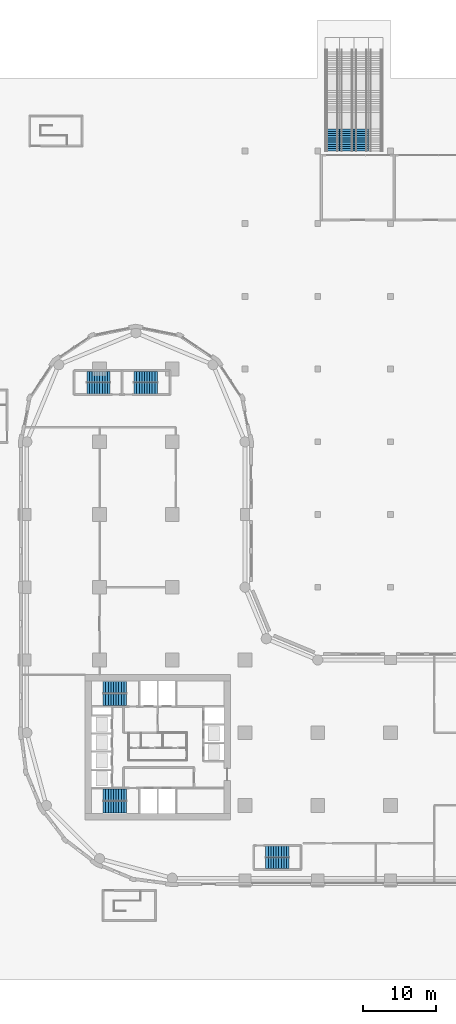
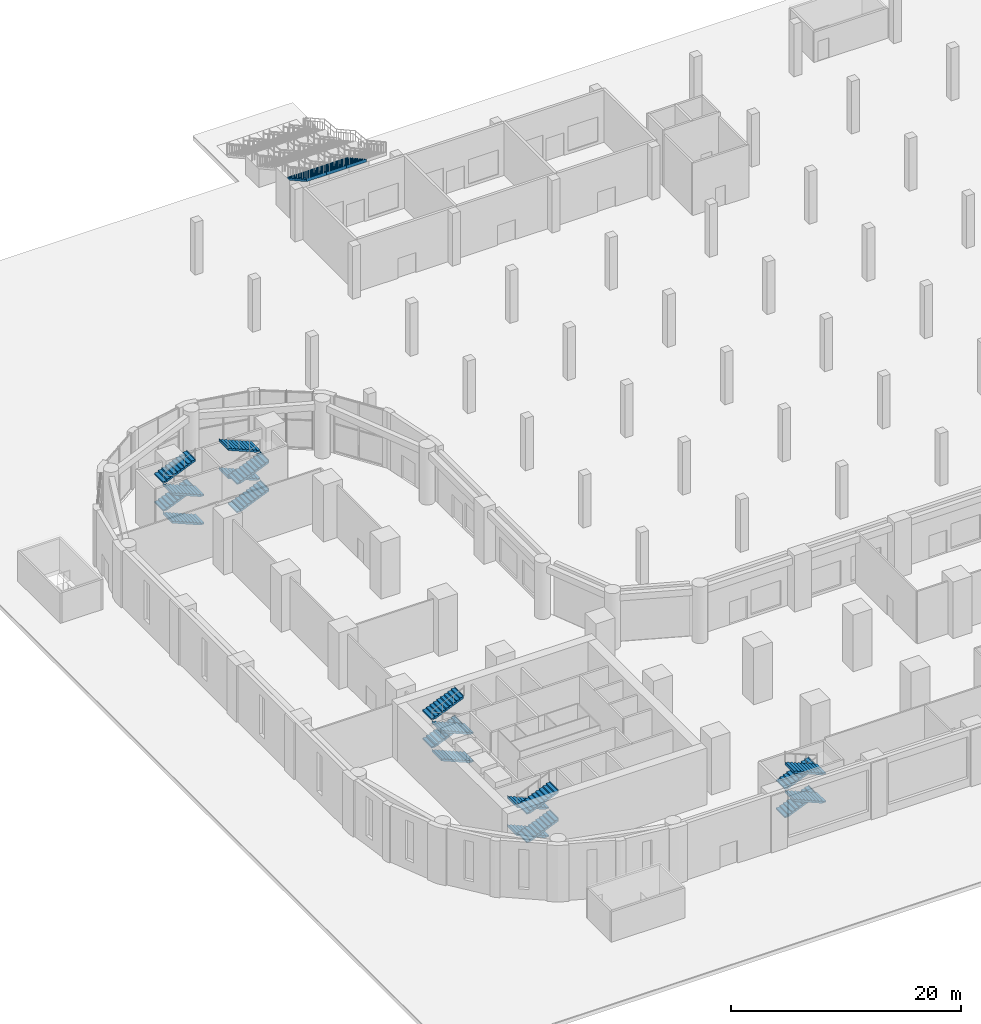
# One storey, part 14 of 21: 23 stair flights, 8 elements without a shape of their own.
"""IFC4 building model written with IfcOpenShell, lengths in metres."""

import ifcopenshell
import ifcopenshell.guid

model = None  # the IFC model being written
_history = None  # IfcOwnerHistory: only IFC2X3 demands one
_inside = {}  # id of a spatial element -> (the spatial element, [elements in it])
_under = {}  # id of a project, library or spatial element -> (it, [spatial elements below it])
_declared = {}  # id of a project -> (the project, [libraries it declares])
_typed = {}  # id of a type object -> (the type object, [elements of that type])
_made_of = {}  # id of a material, layer set ... -> (it, [elements and type objects made of it])


def new_model(schema):
    """Start an empty IFC model of exactly this schema.

    Asked for "IFC4X3", IfcOpenShell would pick the latest addendum, in which some entities
    have other attributes; the version numbers below select the first issue.
    IFC2X3 requires an IfcOwnerHistory on every rooted entity: one is made here for all.
    """
    global model, _history
    if schema == "IFC4X3":
        model = ifcopenshell.file(schema_version=(4, 3, 0, 0))
    else:
        model = ifcopenshell.file(schema=schema)
    _inside.clear()
    _under.clear()
    _declared.clear()
    _typed.clear()
    _made_of.clear()
    _history = None
    if model.schema == "IFC2X3":
        org = make("IfcOrganization", Name="unknown")
        user = make(
            "IfcPersonAndOrganization",
            ThePerson=make("IfcPerson", FamilyName="unknown"),
            TheOrganization=org,
        )
        app = make(
            "IfcApplication",
            ApplicationDeveloper=org,
            Version="unknown",
            ApplicationFullName="unknown",
            ApplicationIdentifier="unknown",
        )
        _history = make(
            "IfcOwnerHistory",
            OwningUser=user,
            OwningApplication=app,
            ChangeAction="ADDED",
            CreationDate=0,
        )
    return model


def make(cls, **values):
    """One entity of the class cls with the attributes given. An attribute that is None is left unset."""
    return model.create_entity(
        cls, **{name: value for name, value in values.items() if value is not None}
    )


def rooted(cls, **values):
    """An entity with a GlobalId (a new one), such as an element, a storey or a relation."""
    return make(cls, GlobalId=ifcopenshell.guid.new(), OwnerHistory=_history, **values)


def si_unit(unit_type, name, prefix=None):
    """IfcSIUnit, for example si_unit("LENGTHUNIT", "METRE", prefix="MILLI")."""
    return make("IfcSIUnit", UnitType=unit_type, Prefix=prefix, Name=name)


def assignment(units):
    """IfcUnitAssignment: the units of a project."""
    return None if units is None else make("IfcUnitAssignment", Units=units)


def point(xyz):
    """IfcCartesianPoint."""
    return None if xyz is None else make("IfcCartesianPoint", Coordinates=xyz)


def direction(xyz):
    """IfcDirection."""
    return None if xyz is None else make("IfcDirection", DirectionRatios=xyz)


def frame(location, z_axis=None, x_axis=None):
    """IfcAxis2Placement3D, a coordinate frame: its origin and axes. An axis left out is left unset."""
    return make(
        "IfcAxis2Placement3D",
        Location=point(location),
        Axis=direction(z_axis),
        RefDirection=direction(x_axis),
    )


def origin():
    """The frame at (0, 0, 0) with its axes left unset."""
    return frame((0.0, 0.0, 0.0))


def place(relative_to, where):
    """IfcLocalPlacement: puts the frame where relative to a parent placement (None: the world)."""
    return make(
        "IfcLocalPlacement", PlacementRelTo=relative_to, RelativePlacement=where
    )


def context(
    kind, dimensions, precision=None, world=None, true_north=None, identifier=None
):
    """IfcGeometricRepresentationContext, for example the 3D "Model" context."""
    return make(
        "IfcGeometricRepresentationContext",
        ContextIdentifier=identifier,
        ContextType=kind,
        CoordinateSpaceDimension=dimensions,
        Precision=precision,
        WorldCoordinateSystem=world,
        TrueNorth=true_north,
    )


def subcontext(parent, identifier, kind, view, scale=None):
    """IfcGeometricRepresentationSubContext, for example "Body" below "Model"."""
    return make(
        "IfcGeometricRepresentationSubContext",
        ContextIdentifier=identifier,
        ContextType=kind,
        ParentContext=parent,
        TargetScale=scale,
        TargetView=view,
    )


def project(units=None, contexts=None):
    """IfcProject with its units and contexts."""
    return rooted(
        "IfcProject",
        Name="project",
        RepresentationContexts=contexts,
        UnitsInContext=assignment(units),
    )


def spatial(cls, under=None, at=None, **own):
    """A site, building, storey or space (cls), placed at a placement, below another one or the project."""
    s = rooted(cls, ObjectPlacement=at, **own)
    if under is not None:
        _under.setdefault(under.id(), (under, []))[1].append(s)
    return s


def polyline(points):
    """IfcPolyline through the points."""
    return make("IfcPolyline", Points=[point(p) for p in points])


def outline(outer, holes=None, kind="AREA"):
    """IfcArbitraryClosedProfileDef: a profile drawn as a closed curve; with holes, ...WithVoids."""
    if holes is None:
        return make("IfcArbitraryClosedProfileDef", ProfileType=kind, OuterCurve=outer)
    return make(
        "IfcArbitraryProfileDefWithVoids",
        ProfileType=kind,
        OuterCurve=outer,
        InnerCurves=holes,
    )


def extrude(swept, where, along, depth):
    """IfcExtrudedAreaSolid: the profile swept, set in the frame where, extruded along a direction by depth."""
    return make(
        "IfcExtrudedAreaSolid",
        SweptArea=swept,
        Position=where,
        ExtrudedDirection=direction(along),
        Depth=depth,
    )


def shape(context_of_items, identifier, shape_type, items):
    """IfcShapeRepresentation: the items that make up one representation, for example the "Body"."""
    return make(
        "IfcShapeRepresentation",
        ContextOfItems=context_of_items,
        RepresentationIdentifier=identifier,
        RepresentationType=shape_type,
        Items=items,
    )


def material(Name=None, Category=None):
    """IfcMaterial."""
    return make("IfcMaterial", Name=Name, Category=Category)


def layer(
    of_material, thickness, ventilated=None, Name=None, Category=None, Priority=None
):
    """IfcMaterialLayer: one layer of a wall or slab, of a material (None: an air gap)."""
    return make(
        "IfcMaterialLayer",
        Material=of_material,
        LayerThickness=thickness,
        IsVentilated=ventilated,
        Name=Name,
        Category=Category,
        Priority=Priority,
    )


def layer_set(layers, Name=None):
    """IfcMaterialLayerSet."""
    return make("IfcMaterialLayerSet", MaterialLayers=layers, LayerSetName=Name)


def made_of(thing, what):
    """Note that an element or type object is made of a material, layer set ...; save() writes the relation."""
    if what is not None:
        _made_of.setdefault(what.id(), (what, []))[1].append(thing)
    return thing


def type_object(cls, material=None, **own):
    """A type object (cls), such as IfcWallType, which elements share."""
    return made_of(rooted(cls, **own), material)


def element(
    cls,
    number,
    at=None,
    inside=None,
    cuts=None,
    type_object=None,
    material=None,
    context=None,
    identifier="Body",
    shape_type=None,
    held_by="IfcProductDefinitionShape",
    body=None,
    shapes=None,
    **own,
):
    """One element of the class cls, such as IfcWall. Its Tag is "e" and its number.

    at: its placement. inside: the storey or other place that contains it. cuts: it is an
    opening in that element (IfcRelVoidsElement). A single representation is given by context,
    identifier, shape_type and body (its items); several are given by shapes. held_by: the class
    of the entity that holds the representations. save() writes the other relations.
    """
    e = rooted(cls, Tag="e%d" % number, ObjectPlacement=at, **own)
    if body is not None:
        shapes = [shape(context, identifier, shape_type, body)]
    if shapes is not None:
        e.Representation = make(held_by, Representations=shapes)
    if inside is not None:
        _inside.setdefault(inside.id(), (inside, []))[1].append(e)
    if cuts is not None:
        rooted(
            "IfcRelVoidsElement", RelatingBuildingElement=cuts, RelatedOpeningElement=e
        )
    if type_object is not None:
        _typed.setdefault(type_object.id(), (type_object, []))[1].append(e)
    return made_of(e, material)


def aggregate(whole, parts):
    """IfcRelAggregates: a whole, such as a stair, and the parts it consists of."""
    return rooted("IfcRelAggregates", RelatingObject=whole, RelatedObjects=parts)


def save(model, path):
    """Write the relations noted so far, then the file.

    IfcRelAggregates (storeys below a building ...), IfcRelContainedInSpatialStructure (elements
    in a storey), IfcRelDefinesByType, IfcRelAssociatesMaterial and IfcRelDeclares: one each for
    every whole, place, type object, material and project.
    """
    for whole, parts in _under.values():
        aggregate(whole, parts)
    for where, things in _inside.values():
        rooted(
            "IfcRelContainedInSpatialStructure",
            RelatedElements=things,
            RelatingStructure=where,
        )
    for kind, things in _typed.values():
        rooted("IfcRelDefinesByType", RelatedObjects=things, RelatingType=kind)
    for what, things in _made_of.values():
        rooted("IfcRelAssociatesMaterial", RelatedObjects=things, RelatingMaterial=what)
    for by, libraries in _declared.values():
        rooted("IfcRelDeclares", RelatingContext=by, RelatedDefinitions=libraries)
    model.write(path)


model = new_model("IFC4")

# Units and contexts
model_context = context("Model", 3, precision=1e-05, world=origin(), true_north=direction((0.0, 1.0)))
body_context = subcontext(model_context, "Body", "Model", "MODEL_VIEW")
ifc_project = project(units=[si_unit("LENGTHUNIT", "METRE"), si_unit("AREAUNIT", "SQUARE_METRE"), si_unit("VOLUMEUNIT", "CUBIC_METRE"), si_unit("PLANEANGLEUNIT", "RADIAN"), si_unit("MASSUNIT", "GRAM", prefix="KILO")], contexts=[model_context])

# Site, building, storey
site_placement = place(None, origin())
site = spatial("IfcSite", under=ifc_project, at=site_placement, CompositionType="ELEMENT")
building_placement = place(site_placement, origin())
building = spatial("IfcBuilding", under=site, at=building_placement, Name="Qaws Garden Tower", CompositionType="ELEMENT")
storey_placement = place(building_placement, origin())
storey = spatial("IfcBuildingStorey", under=building, at=storey_placement, Name="L00", CompositionType="ELEMENT", Elevation=0.0)

# Stair, stair flights
ifc_material_1 = material(Name="Concrete C40", Category="concrete")
stair_type_1 = type_object("IfcStairType", Name="Exit stair 1350", PredefinedType="HALF_TURN_STAIR", material=ifc_material_1)
placement = place(storey_placement, origin())
stair_1 = element("IfcStair", 1, at=placement, inside=storey, type_object=stair_type_1, Name="Stair 5", PredefinedType="HALF_TURN_STAIR")
ifc_material_2 = material(Name="Concrete C40", Category="concrete")
stair_flight_type_1 = type_object("IfcStairFlightType", Name="Stair flight 1350", PredefinedType="STRAIGHT", material=ifc_material_2)
stair_flight_1_placement = place(storey_placement, frame((32.85009765625, 3.625, 0.0), z_axis=(0.0, 0.0, 1.0), x_axis=(1.0, 0.0, 0.0)))
stair_flight_1 = element("IfcStairFlight", 2, at=stair_flight_1_placement, type_object=stair_flight_type_1, Name="ST5 flight 1", NumberOfRisers=10, NumberOfTreads=9, PredefinedType="STRAIGHT", RiserHeight=0.15, TreadLength=0.356, context=body_context, shape_type="SweptSolid", body=[
    extrude(outline(polyline([(-0.0029296875, 0.0), (-0.0029296875, 0.14990234375), (0.0, 0.14990234375), (0.35595703125, 0.14990234375), (0.35595703125, 0.300048828125), (0.7119140625, 0.300048828125), (0.7119140625, 0.449951171875), (1.068115234375, 0.449951171875), (1.068115234375, 0.60009765625), (1.424072265625, 0.60009765625), (1.424072265625, 0.75), (1.780029296875, 0.75), (1.780029296875, 0.89990234375), (2.135986328125, 0.89990234375), (2.135986328125, 1.050048828125), (2.491943359375, 1.050048828125), (2.491943359375, 1.199951171875), (2.847900390625, 1.199951171875), (2.847900390625, 1.35009765625), (3.2041015625, 1.35009765625), (3.2041015625, 1.5), (3.20703125, 1.5), (3.20703125, 1.187255859375), (3.2041015625, 1.187255859375), (0.385986328125, 0.0), (-0.0029296875, 0.0)])), frame((0.0, 0.77001953125, 0.0), z_axis=(0.0, -1.0, 0.0), x_axis=(1.0, 0.0, 0.0)), (0.0, 0.0, 1.0), 1.5400390625),
])
stair_flight_2_placement = place(storey_placement, frame((36.053955078125, 2.074951171875, 1.5), z_axis=(0.0, 0.0, 1.0), x_axis=(-1.0, 0.0, 0.0)))
stair_flight_2 = element("IfcStairFlight", 3, at=stair_flight_2_placement, type_object=stair_flight_type_1, Name="ST5 flight 2", NumberOfRisers=10, NumberOfTreads=9, PredefinedType="STRAIGHT", RiserHeight=0.15, TreadLength=0.356, context=body_context, shape_type="SweptSolid", body=[
    extrude(outline(polyline([(-0.0029296875, 0.0), (-0.0029296875, 0.14990234375), (0.0, 0.14990234375), (0.35595703125, 0.14990234375), (0.35595703125, 0.300048828125), (0.7119140625, 0.300048828125), (0.7119140625, 0.449951171875), (1.068115234375, 0.449951171875), (1.068115234375, 0.60009765625), (1.424072265625, 0.60009765625), (1.424072265625, 0.75), (1.780029296875, 0.75), (1.780029296875, 0.89990234375), (2.135986328125, 0.89990234375), (2.135986328125, 1.050048828125), (2.491943359375, 1.050048828125), (2.491943359375, 1.199951171875), (2.847900390625, 1.199951171875), (2.847900390625, 1.35009765625), (3.2041015625, 1.35009765625), (3.2041015625, 1.5), (3.20703125, 1.5), (3.20703125, 1.187255859375), (3.2041015625, 1.187255859375), (0.385986328125, 0.0), (-0.0029296875, 0.0)])), frame((0.0, 0.77001953125, 0.0), z_axis=(0.0, -1.0, 0.0), x_axis=(1.0, 0.0, 0.0)), (0.0, 0.0, 1.0), 1.5400390625),
])
stair_flight_3_placement = place(storey_placement, frame((32.85009765625, 3.625, 3.0), z_axis=(0.0, 0.0, 1.0), x_axis=(1.0, 0.0, 0.0)))
stair_flight_3 = element("IfcStairFlight", 4, at=stair_flight_3_placement, type_object=stair_flight_type_1, Name="ST5 flight 3", NumberOfRisers=10, NumberOfTreads=9, PredefinedType="STRAIGHT", RiserHeight=0.15, TreadLength=0.356, context=body_context, shape_type="SweptSolid", body=[
    extrude(outline(polyline([(-0.0029296875, 0.0), (-0.0029296875, 0.14990234375), (0.0, 0.14990234375), (0.35595703125, 0.14990234375), (0.35595703125, 0.300048828125), (0.7119140625, 0.300048828125), (0.7119140625, 0.449951171875), (1.068115234375, 0.449951171875), (1.068115234375, 0.60009765625), (1.424072265625, 0.60009765625), (1.424072265625, 0.75), (1.780029296875, 0.75), (1.780029296875, 0.89990234375), (2.135986328125, 0.89990234375), (2.135986328125, 1.050048828125), (2.491943359375, 1.050048828125), (2.491943359375, 1.199951171875), (2.847900390625, 1.199951171875), (2.847900390625, 1.35009765625), (3.2041015625, 1.35009765625), (3.2041015625, 1.5), (3.20703125, 1.5), (3.20703125, 1.187255859375), (3.2041015625, 1.187255859375), (0.385986328125, 0.0), (-0.0029296875, 0.0)])), frame((0.0, 0.77001953125, 0.0), z_axis=(0.0, -1.0, 0.0), x_axis=(1.0, 0.0, 0.0)), (0.0, 0.0, 1.0), 1.5400390625),
])
stair_flight_4_placement = place(storey_placement, frame((36.053955078125, 2.074951171875, 4.5), z_axis=(0.0, 0.0, 1.0), x_axis=(-1.0, 0.0, 0.0)))
stair_flight_4 = element("IfcStairFlight", 5, at=stair_flight_4_placement, type_object=stair_flight_type_1, Name="ST5 flight 4", NumberOfRisers=10, NumberOfTreads=9, PredefinedType="STRAIGHT", RiserHeight=0.15, TreadLength=0.356, context=body_context, shape_type="SweptSolid", body=[
    extrude(outline(polyline([(-0.0029296875, 0.0), (-0.0029296875, 0.14990234375), (0.0, 0.14990234375), (0.35595703125, 0.14990234375), (0.35595703125, 0.300048828125), (0.7119140625, 0.300048828125), (0.7119140625, 0.449951171875), (1.068115234375, 0.449951171875), (1.068115234375, 0.60009765625), (1.424072265625, 0.60009765625), (1.424072265625, 0.75), (1.780029296875, 0.75), (1.780029296875, 0.89990234375), (2.135986328125, 0.89990234375), (2.135986328125, 1.050048828125), (2.491943359375, 1.050048828125), (2.491943359375, 1.199951171875), (2.847900390625, 1.199951171875), (2.847900390625, 1.35009765625), (3.2041015625, 1.35009765625), (3.2041015625, 1.5), (3.20703125, 1.5), (3.20703125, 1.187255859375), (3.2041015625, 1.187255859375), (0.385986328125, 0.0), (-0.0029296875, 0.0)])), frame((0.0, 0.77001953125, 0.0), z_axis=(0.0, -1.0, 0.0), x_axis=(1.0, 0.0, 0.0)), (0.0, 0.0, 1.0), 1.5400390625),
])
aggregate(stair_1, [stair_flight_1, stair_flight_2, stair_flight_3, stair_flight_4])

stair_2 = element("IfcStair", 6, at=placement, inside=storey, type_object=stair_type_1, Name="Stair 6", PredefinedType="HALF_TURN_STAIR")
stair_flight_5_placement = place(storey_placement, frame((11.449951171875, 67.375, 0.0), z_axis=(0.0, 0.0, 1.0), x_axis=(-1.0, 0.0, 0.0)))
stair_flight_5 = element("IfcStairFlight", 7, at=stair_flight_5_placement, type_object=stair_flight_type_1, Name="ST6 flight 1", NumberOfRisers=10, NumberOfTreads=9, PredefinedType="STRAIGHT", RiserHeight=0.15, TreadLength=0.356, context=body_context, shape_type="SweptSolid", body=[
    extrude(outline(polyline([(-0.0029296875, 0.0), (-0.0029296875, 0.14990234375), (0.0, 0.14990234375), (0.35595703125, 0.14990234375), (0.35595703125, 0.300048828125), (0.7119140625, 0.300048828125), (0.7119140625, 0.449951171875), (1.068115234375, 0.449951171875), (1.068115234375, 0.60009765625), (1.424072265625, 0.60009765625), (1.424072265625, 0.75), (1.780029296875, 0.75), (1.780029296875, 0.89990234375), (2.135986328125, 0.89990234375), (2.135986328125, 1.050048828125), (2.491943359375, 1.050048828125), (2.491943359375, 1.199951171875), (2.847900390625, 1.199951171875), (2.847900390625, 1.35009765625), (3.2041015625, 1.35009765625), (3.2041015625, 1.5), (3.20703125, 1.5), (3.20703125, 1.187255859375), (3.2041015625, 1.187255859375), (0.385986328125, 0.0), (-0.0029296875, 0.0)])), frame((0.0, 0.77490234375, 0.0), z_axis=(0.0, -1.0, 0.0), x_axis=(1.0, 0.0, 0.0)), (0.0, 0.0, 1.0), 1.550048828125),
])
stair_flight_6_placement = place(storey_placement, frame((8.24609375, 68.925048828125, 1.5), z_axis=(0.0, 0.0, 1.0), x_axis=(1.0, 0.0, 0.0)))
stair_flight_6 = element("IfcStairFlight", 8, at=stair_flight_6_placement, type_object=stair_flight_type_1, Name="ST6 flight 2", NumberOfRisers=10, NumberOfTreads=9, PredefinedType="STRAIGHT", RiserHeight=0.15, TreadLength=0.356, context=body_context, shape_type="SweptSolid", body=[
    extrude(outline(polyline([(-0.0029296875, 0.0), (-0.0029296875, 0.14990234375), (0.0, 0.14990234375), (0.35595703125, 0.14990234375), (0.35595703125, 0.300048828125), (0.7119140625, 0.300048828125), (0.7119140625, 0.449951171875), (1.068115234375, 0.449951171875), (1.068115234375, 0.60009765625), (1.424072265625, 0.60009765625), (1.424072265625, 0.75), (1.780029296875, 0.75), (1.780029296875, 0.89990234375), (2.135986328125, 0.89990234375), (2.135986328125, 1.050048828125), (2.491943359375, 1.050048828125), (2.491943359375, 1.199951171875), (2.847900390625, 1.199951171875), (2.847900390625, 1.35009765625), (3.2041015625, 1.35009765625), (3.2041015625, 1.5), (3.20703125, 1.5), (3.20703125, 1.187255859375), (3.2041015625, 1.187255859375), (0.385986328125, 0.0), (-0.0029296875, 0.0)])), frame((0.0, 0.77490234375, 0.0), z_axis=(0.0, -1.0, 0.0), x_axis=(1.0, 0.0, 0.0)), (0.0, 0.0, 1.0), 1.550048828125),
])
stair_flight_7_placement = place(storey_placement, frame((11.449951171875, 67.375, 3.0), z_axis=(0.0, 0.0, 1.0), x_axis=(-1.0, 0.0, 0.0)))
stair_flight_7 = element("IfcStairFlight", 9, at=stair_flight_7_placement, type_object=stair_flight_type_1, Name="ST6 flight 3", NumberOfRisers=10, NumberOfTreads=9, PredefinedType="STRAIGHT", RiserHeight=0.15, TreadLength=0.356, context=body_context, shape_type="SweptSolid", body=[
    extrude(outline(polyline([(-0.0029296875, 0.0), (-0.0029296875, 0.14990234375), (0.0, 0.14990234375), (0.35595703125, 0.14990234375), (0.35595703125, 0.300048828125), (0.7119140625, 0.300048828125), (0.7119140625, 0.449951171875), (1.068115234375, 0.449951171875), (1.068115234375, 0.60009765625), (1.424072265625, 0.60009765625), (1.424072265625, 0.75), (1.780029296875, 0.75), (1.780029296875, 0.89990234375), (2.135986328125, 0.89990234375), (2.135986328125, 1.050048828125), (2.491943359375, 1.050048828125), (2.491943359375, 1.199951171875), (2.847900390625, 1.199951171875), (2.847900390625, 1.35009765625), (3.2041015625, 1.35009765625), (3.2041015625, 1.5), (3.20703125, 1.5), (3.20703125, 1.187255859375), (3.2041015625, 1.187255859375), (0.385986328125, 0.0), (-0.0029296875, 0.0)])), frame((0.0, 0.77490234375, 0.0), z_axis=(0.0, -1.0, 0.0), x_axis=(1.0, 0.0, 0.0)), (0.0, 0.0, 1.0), 1.550048828125),
])
stair_flight_8_placement = place(storey_placement, frame((8.24609375, 68.925048828125, 4.5), z_axis=(0.0, 0.0, 1.0), x_axis=(1.0, 0.0, 0.0)))
stair_flight_8 = element("IfcStairFlight", 10, at=stair_flight_8_placement, type_object=stair_flight_type_1, Name="ST6 flight 4", NumberOfRisers=10, NumberOfTreads=9, PredefinedType="STRAIGHT", RiserHeight=0.15, TreadLength=0.356, context=body_context, shape_type="SweptSolid", body=[
    extrude(outline(polyline([(-0.0029296875, 0.0), (-0.0029296875, 0.14990234375), (0.0, 0.14990234375), (0.35595703125, 0.14990234375), (0.35595703125, 0.300048828125), (0.7119140625, 0.300048828125), (0.7119140625, 0.449951171875), (1.068115234375, 0.449951171875), (1.068115234375, 0.60009765625), (1.424072265625, 0.60009765625), (1.424072265625, 0.75), (1.780029296875, 0.75), (1.780029296875, 0.89990234375), (2.135986328125, 0.89990234375), (2.135986328125, 1.050048828125), (2.491943359375, 1.050048828125), (2.491943359375, 1.199951171875), (2.847900390625, 1.199951171875), (2.847900390625, 1.35009765625), (3.2041015625, 1.35009765625), (3.2041015625, 1.5), (3.20703125, 1.5), (3.20703125, 1.187255859375), (3.2041015625, 1.187255859375), (0.385986328125, 0.0), (-0.0029296875, 0.0)])), frame((0.0, 0.77490234375, 0.0), z_axis=(0.0, -1.0, 0.0), x_axis=(1.0, 0.0, 0.0)), (0.0, 0.0, 1.0), 1.550048828125),
])
aggregate(stair_2, [stair_flight_5, stair_flight_6, stair_flight_7, stair_flight_8])

stair_3 = element("IfcStair", 11, at=placement, inside=storey, type_object=stair_type_1, Name="Stair 7", PredefinedType="HALF_TURN_STAIR")
stair_flight_9_placement = place(storey_placement, frame((14.75, 67.375, 0.0), z_axis=(0.0, 0.0, 1.0), x_axis=(1.0, 0.0, 0.0)))
stair_flight_9 = element("IfcStairFlight", 12, at=stair_flight_9_placement, type_object=stair_flight_type_1, Name="ST7 flight 1", NumberOfRisers=10, NumberOfTreads=9, PredefinedType="STRAIGHT", RiserHeight=0.15, TreadLength=0.356, context=body_context, shape_type="SweptSolid", body=[
    extrude(outline(polyline([(-0.0029296875, 0.0), (-0.0029296875, 0.14990234375), (0.0, 0.14990234375), (0.35595703125, 0.14990234375), (0.35595703125, 0.300048828125), (0.7119140625, 0.300048828125), (0.7119140625, 0.449951171875), (1.068115234375, 0.449951171875), (1.068115234375, 0.60009765625), (1.424072265625, 0.60009765625), (1.424072265625, 0.75), (1.780029296875, 0.75), (1.780029296875, 0.89990234375), (2.135986328125, 0.89990234375), (2.135986328125, 1.050048828125), (2.491943359375, 1.050048828125), (2.491943359375, 1.199951171875), (2.847900390625, 1.199951171875), (2.847900390625, 1.35009765625), (3.2041015625, 1.35009765625), (3.2041015625, 1.5), (3.20703125, 1.5), (3.20703125, 1.187255859375), (3.2041015625, 1.187255859375), (0.385986328125, 0.0), (-0.0029296875, 0.0)])), frame((0.0, 0.77490234375, 0.0), z_axis=(0.0, -1.0, 0.0), x_axis=(1.0, 0.0, 0.0)), (0.0, 0.0, 1.0), 1.550048828125),
])
stair_flight_10_placement = place(storey_placement, frame((17.9541015625, 68.925048828125, 1.5), z_axis=(0.0, 0.0, 1.0), x_axis=(-1.0, 0.0, 0.0)))
stair_flight_10 = element("IfcStairFlight", 13, at=stair_flight_10_placement, type_object=stair_flight_type_1, Name="ST7 flight 2", NumberOfRisers=10, NumberOfTreads=9, PredefinedType="STRAIGHT", RiserHeight=0.15, TreadLength=0.356, context=body_context, shape_type="SweptSolid", body=[
    extrude(outline(polyline([(-0.0029296875, 0.0), (-0.0029296875, 0.14990234375), (0.0, 0.14990234375), (0.35595703125, 0.14990234375), (0.35595703125, 0.300048828125), (0.7119140625, 0.300048828125), (0.7119140625, 0.449951171875), (1.068115234375, 0.449951171875), (1.068115234375, 0.60009765625), (1.424072265625, 0.60009765625), (1.424072265625, 0.75), (1.780029296875, 0.75), (1.780029296875, 0.89990234375), (2.135986328125, 0.89990234375), (2.135986328125, 1.050048828125), (2.491943359375, 1.050048828125), (2.491943359375, 1.199951171875), (2.847900390625, 1.199951171875), (2.847900390625, 1.35009765625), (3.2041015625, 1.35009765625), (3.2041015625, 1.5), (3.20703125, 1.5), (3.20703125, 1.187255859375), (3.2041015625, 1.187255859375), (0.385986328125, 0.0), (-0.0029296875, 0.0)])), frame((0.0, 0.77490234375, 0.0), z_axis=(0.0, -1.0, 0.0), x_axis=(1.0, 0.0, 0.0)), (0.0, 0.0, 1.0), 1.550048828125),
])
stair_flight_11_placement = place(storey_placement, frame((14.75, 67.375, 3.0), z_axis=(0.0, 0.0, 1.0), x_axis=(1.0, 0.0, 0.0)))
stair_flight_11 = element("IfcStairFlight", 14, at=stair_flight_11_placement, type_object=stair_flight_type_1, Name="ST7 flight 3", NumberOfRisers=10, NumberOfTreads=9, PredefinedType="STRAIGHT", RiserHeight=0.15, TreadLength=0.356, context=body_context, shape_type="SweptSolid", body=[
    extrude(outline(polyline([(-0.0029296875, 0.0), (-0.0029296875, 0.14990234375), (0.0, 0.14990234375), (0.35595703125, 0.14990234375), (0.35595703125, 0.300048828125), (0.7119140625, 0.300048828125), (0.7119140625, 0.449951171875), (1.068115234375, 0.449951171875), (1.068115234375, 0.60009765625), (1.424072265625, 0.60009765625), (1.424072265625, 0.75), (1.780029296875, 0.75), (1.780029296875, 0.89990234375), (2.135986328125, 0.89990234375), (2.135986328125, 1.050048828125), (2.491943359375, 1.050048828125), (2.491943359375, 1.199951171875), (2.847900390625, 1.199951171875), (2.847900390625, 1.35009765625), (3.2041015625, 1.35009765625), (3.2041015625, 1.5), (3.20703125, 1.5), (3.20703125, 1.187255859375), (3.2041015625, 1.187255859375), (0.385986328125, 0.0), (-0.0029296875, 0.0)])), frame((0.0, 0.77490234375, 0.0), z_axis=(0.0, -1.0, 0.0), x_axis=(1.0, 0.0, 0.0)), (0.0, 0.0, 1.0), 1.550048828125),
])
stair_flight_12_placement = place(storey_placement, frame((17.9541015625, 68.925048828125, 4.5), z_axis=(0.0, 0.0, 1.0), x_axis=(-1.0, 0.0, 0.0)))
stair_flight_12 = element("IfcStairFlight", 15, at=stair_flight_12_placement, type_object=stair_flight_type_1, Name="ST7 flight 4", NumberOfRisers=10, NumberOfTreads=9, PredefinedType="STRAIGHT", RiserHeight=0.15, TreadLength=0.356, context=body_context, shape_type="SweptSolid", body=[
    extrude(outline(polyline([(-0.0029296875, 0.0), (-0.0029296875, 0.14990234375), (0.0, 0.14990234375), (0.35595703125, 0.14990234375), (0.35595703125, 0.300048828125), (0.7119140625, 0.300048828125), (0.7119140625, 0.449951171875), (1.068115234375, 0.449951171875), (1.068115234375, 0.60009765625), (1.424072265625, 0.60009765625), (1.424072265625, 0.75), (1.780029296875, 0.75), (1.780029296875, 0.89990234375), (2.135986328125, 0.89990234375), (2.135986328125, 1.050048828125), (2.491943359375, 1.050048828125), (2.491943359375, 1.199951171875), (2.847900390625, 1.199951171875), (2.847900390625, 1.35009765625), (3.2041015625, 1.35009765625), (3.2041015625, 1.5), (3.20703125, 1.5), (3.20703125, 1.187255859375), (3.2041015625, 1.187255859375), (0.385986328125, 0.0), (-0.0029296875, 0.0)])), frame((0.0, 0.77490234375, 0.0), z_axis=(0.0, -1.0, 0.0), x_axis=(1.0, 0.0, 0.0)), (0.0, 0.0, 1.0), 1.550048828125),
])
aggregate(stair_3, [stair_flight_9, stair_flight_10, stair_flight_11, stair_flight_12])

ifc_material_3 = material(Name="Concrete C40", Category="concrete")
stair_type_2 = type_object("IfcStairType", Name="Exit stair 1500", PredefinedType="HALF_TURN_STAIR", material=ifc_material_3)
stair_4 = element("IfcStair", 16, at=placement, inside=storey, type_object=stair_type_2, Name="Stair 1", PredefinedType="HALF_TURN_STAIR")
ifc_material_4 = material(Name="Concrete C40", Category="concrete")
stair_flight_type_2 = type_object("IfcStairFlightType", Name="Stair flight 1500", PredefinedType="STRAIGHT", material=ifc_material_4)
stair_flight_13_placement = place(storey_placement, frame((13.699951171875, 11.449951171875, 0.0), z_axis=(0.0, 0.0, 1.0), x_axis=(-1.0, 0.0, 0.0)))
stair_flight_13 = element("IfcStairFlight", 17, at=stair_flight_13_placement, type_object=stair_flight_type_2, Name="ST1 flight 1", NumberOfRisers=10, NumberOfTreads=9, PredefinedType="STRAIGHT", RiserHeight=0.15, TreadLength=0.356, context=body_context, shape_type="SweptSolid", body=[
    extrude(outline(polyline([(-0.0029296875, 0.0), (-0.0029296875, 0.14990234375), (0.0, 0.14990234375), (0.35595703125, 0.14990234375), (0.35595703125, 0.300048828125), (0.7119140625, 0.300048828125), (0.7119140625, 0.449951171875), (1.068115234375, 0.449951171875), (1.068115234375, 0.60009765625), (1.424072265625, 0.60009765625), (1.424072265625, 0.75), (1.780029296875, 0.75), (1.780029296875, 0.89990234375), (2.135986328125, 0.89990234375), (2.135986328125, 1.050048828125), (2.491943359375, 1.050048828125), (2.491943359375, 1.199951171875), (2.847900390625, 1.199951171875), (2.847900390625, 1.35009765625), (3.2041015625, 1.35009765625), (3.2041015625, 1.5), (3.20703125, 1.5), (3.20703125, 1.187255859375), (3.2041015625, 1.187255859375), (0.385986328125, 0.0), (-0.0029296875, 0.0)])), frame((0.0, 0.794921875, 0.0), z_axis=(0.0, -1.0, 0.0), x_axis=(1.0, 0.0, 0.0)), (0.0, 0.0, 1.0), 1.590087890625),
])
stair_flight_14_placement = place(storey_placement, frame((10.49609375, 9.75, 1.5), z_axis=(0.0, 0.0, 1.0), x_axis=(1.0, 0.0, 0.0)))
stair_flight_14 = element("IfcStairFlight", 18, at=stair_flight_14_placement, type_object=stair_flight_type_2, Name="ST1 flight 2", NumberOfRisers=10, NumberOfTreads=9, PredefinedType="STRAIGHT", RiserHeight=0.15, TreadLength=0.356, context=body_context, shape_type="SweptSolid", body=[
    extrude(outline(polyline([(-0.0029296875, 0.0), (-0.0029296875, 0.14990234375), (0.0, 0.14990234375), (0.35595703125, 0.14990234375), (0.35595703125, 0.300048828125), (0.7119140625, 0.300048828125), (0.7119140625, 0.449951171875), (1.068115234375, 0.449951171875), (1.068115234375, 0.60009765625), (1.424072265625, 0.60009765625), (1.424072265625, 0.75), (1.780029296875, 0.75), (1.780029296875, 0.89990234375), (2.135986328125, 0.89990234375), (2.135986328125, 1.050048828125), (2.491943359375, 1.050048828125), (2.491943359375, 1.199951171875), (2.847900390625, 1.199951171875), (2.847900390625, 1.35009765625), (3.2041015625, 1.35009765625), (3.2041015625, 1.5), (3.20703125, 1.5), (3.20703125, 1.187255859375), (3.2041015625, 1.187255859375), (0.385986328125, 0.0), (-0.0029296875, 0.0)])), frame((0.0, 0.794921875, 0.0), z_axis=(0.0, -1.0, 0.0), x_axis=(1.0, 0.0, 0.0)), (0.0, 0.0, 1.0), 1.590087890625),
])
stair_flight_15_placement = place(storey_placement, frame((13.699951171875, 11.449951171875, 3.0), z_axis=(0.0, 0.0, 1.0), x_axis=(-1.0, 0.0, 0.0)))
stair_flight_15 = element("IfcStairFlight", 19, at=stair_flight_15_placement, type_object=stair_flight_type_2, Name="ST1 flight 3", NumberOfRisers=10, NumberOfTreads=9, PredefinedType="STRAIGHT", RiserHeight=0.15, TreadLength=0.356, context=body_context, shape_type="SweptSolid", body=[
    extrude(outline(polyline([(-0.0029296875, 0.0), (-0.0029296875, 0.14990234375), (0.0, 0.14990234375), (0.35595703125, 0.14990234375), (0.35595703125, 0.300048828125), (0.7119140625, 0.300048828125), (0.7119140625, 0.449951171875), (1.068115234375, 0.449951171875), (1.068115234375, 0.60009765625), (1.424072265625, 0.60009765625), (1.424072265625, 0.75), (1.780029296875, 0.75), (1.780029296875, 0.89990234375), (2.135986328125, 0.89990234375), (2.135986328125, 1.050048828125), (2.491943359375, 1.050048828125), (2.491943359375, 1.199951171875), (2.847900390625, 1.199951171875), (2.847900390625, 1.35009765625), (3.2041015625, 1.35009765625), (3.2041015625, 1.5), (3.20703125, 1.5), (3.20703125, 1.187255859375), (3.2041015625, 1.187255859375), (0.385986328125, 0.0), (-0.0029296875, 0.0)])), frame((0.0, 0.794921875, 0.0), z_axis=(0.0, -1.0, 0.0), x_axis=(1.0, 0.0, 0.0)), (0.0, 0.0, 1.0), 1.590087890625),
])
stair_flight_16_placement = place(storey_placement, frame((10.49609375, 9.75, 4.5), z_axis=(0.0, 0.0, 1.0), x_axis=(1.0, 0.0, 0.0)))
stair_flight_16 = element("IfcStairFlight", 20, at=stair_flight_16_placement, type_object=stair_flight_type_2, Name="ST1 flight 4", NumberOfRisers=10, NumberOfTreads=9, PredefinedType="STRAIGHT", RiserHeight=0.15, TreadLength=0.356, context=body_context, shape_type="SweptSolid", body=[
    extrude(outline(polyline([(-0.0029296875, 0.0), (-0.0029296875, 0.14990234375), (0.0, 0.14990234375), (0.35595703125, 0.14990234375), (0.35595703125, 0.300048828125), (0.7119140625, 0.300048828125), (0.7119140625, 0.449951171875), (1.068115234375, 0.449951171875), (1.068115234375, 0.60009765625), (1.424072265625, 0.60009765625), (1.424072265625, 0.75), (1.780029296875, 0.75), (1.780029296875, 0.89990234375), (2.135986328125, 0.89990234375), (2.135986328125, 1.050048828125), (2.491943359375, 1.050048828125), (2.491943359375, 1.199951171875), (2.847900390625, 1.199951171875), (2.847900390625, 1.35009765625), (3.2041015625, 1.35009765625), (3.2041015625, 1.5), (3.20703125, 1.5), (3.20703125, 1.187255859375), (3.2041015625, 1.187255859375), (0.385986328125, 0.0), (-0.0029296875, 0.0)])), frame((0.0, 0.794921875, 0.0), z_axis=(0.0, -1.0, 0.0), x_axis=(1.0, 0.0, 0.0)), (0.0, 0.0, 1.0), 1.590087890625),
])
aggregate(stair_4, [stair_flight_13, stair_flight_14, stair_flight_15, stair_flight_16])

stair_5 = element("IfcStair", 21, at=placement, inside=storey, type_object=stair_type_2, Name="Stair 4", PredefinedType="HALF_TURN_STAIR")
stair_flight_17_placement = place(storey_placement, frame((13.699951171875, 24.550048828125, 0.0), z_axis=(0.0, 0.0, 1.0), x_axis=(-1.0, 0.0, 0.0)))
stair_flight_17 = element("IfcStairFlight", 22, at=stair_flight_17_placement, type_object=stair_flight_type_2, Name="ST4 flight 1", NumberOfRisers=10, NumberOfTreads=9, PredefinedType="STRAIGHT", RiserHeight=0.15, TreadLength=0.356, context=body_context, shape_type="SweptSolid", body=[
    extrude(outline(polyline([(-0.0029296875, 0.0), (-0.0029296875, 0.14990234375), (0.0, 0.14990234375), (0.35595703125, 0.14990234375), (0.35595703125, 0.300048828125), (0.7119140625, 0.300048828125), (0.7119140625, 0.449951171875), (1.068115234375, 0.449951171875), (1.068115234375, 0.60009765625), (1.424072265625, 0.60009765625), (1.424072265625, 0.75), (1.780029296875, 0.75), (1.780029296875, 0.89990234375), (2.135986328125, 0.89990234375), (2.135986328125, 1.050048828125), (2.491943359375, 1.050048828125), (2.491943359375, 1.199951171875), (2.847900390625, 1.199951171875), (2.847900390625, 1.35009765625), (3.2041015625, 1.35009765625), (3.2041015625, 1.5), (3.20703125, 1.5), (3.20703125, 1.187255859375), (3.2041015625, 1.187255859375), (0.385986328125, 0.0), (-0.0029296875, 0.0)])), frame((0.0, 0.794921875, 0.0), z_axis=(0.0, -1.0, 0.0), x_axis=(1.0, 0.0, 0.0)), (0.0, 0.0, 1.0), 1.590087890625),
])
stair_flight_18_placement = place(storey_placement, frame((10.49609375, 26.25, 1.5), z_axis=(0.0, 0.0, 1.0), x_axis=(1.0, 0.0, 0.0)))
stair_flight_18 = element("IfcStairFlight", 23, at=stair_flight_18_placement, type_object=stair_flight_type_2, Name="ST4 flight 2", NumberOfRisers=10, NumberOfTreads=9, PredefinedType="STRAIGHT", RiserHeight=0.15, TreadLength=0.356, context=body_context, shape_type="SweptSolid", body=[
    extrude(outline(polyline([(-0.0029296875, 0.0), (-0.0029296875, 0.14990234375), (0.0, 0.14990234375), (0.35595703125, 0.14990234375), (0.35595703125, 0.300048828125), (0.7119140625, 0.300048828125), (0.7119140625, 0.449951171875), (1.068115234375, 0.449951171875), (1.068115234375, 0.60009765625), (1.424072265625, 0.60009765625), (1.424072265625, 0.75), (1.780029296875, 0.75), (1.780029296875, 0.89990234375), (2.135986328125, 0.89990234375), (2.135986328125, 1.050048828125), (2.491943359375, 1.050048828125), (2.491943359375, 1.199951171875), (2.847900390625, 1.199951171875), (2.847900390625, 1.35009765625), (3.2041015625, 1.35009765625), (3.2041015625, 1.5), (3.20703125, 1.5), (3.20703125, 1.187255859375), (3.2041015625, 1.187255859375), (0.385986328125, 0.0), (-0.0029296875, 0.0)])), frame((0.0, 0.794921875, 0.0), z_axis=(0.0, -1.0, 0.0), x_axis=(1.0, 0.0, 0.0)), (0.0, 0.0, 1.0), 1.590087890625),
])
stair_flight_19_placement = place(storey_placement, frame((13.699951171875, 24.550048828125, 3.0), z_axis=(0.0, 0.0, 1.0), x_axis=(-1.0, 0.0, 0.0)))
stair_flight_19 = element("IfcStairFlight", 24, at=stair_flight_19_placement, type_object=stair_flight_type_2, Name="ST4 flight 3", NumberOfRisers=10, NumberOfTreads=9, PredefinedType="STRAIGHT", RiserHeight=0.15, TreadLength=0.356, context=body_context, shape_type="SweptSolid", body=[
    extrude(outline(polyline([(-0.0029296875, 0.0), (-0.0029296875, 0.14990234375), (0.0, 0.14990234375), (0.35595703125, 0.14990234375), (0.35595703125, 0.300048828125), (0.7119140625, 0.300048828125), (0.7119140625, 0.449951171875), (1.068115234375, 0.449951171875), (1.068115234375, 0.60009765625), (1.424072265625, 0.60009765625), (1.424072265625, 0.75), (1.780029296875, 0.75), (1.780029296875, 0.89990234375), (2.135986328125, 0.89990234375), (2.135986328125, 1.050048828125), (2.491943359375, 1.050048828125), (2.491943359375, 1.199951171875), (2.847900390625, 1.199951171875), (2.847900390625, 1.35009765625), (3.2041015625, 1.35009765625), (3.2041015625, 1.5), (3.20703125, 1.5), (3.20703125, 1.187255859375), (3.2041015625, 1.187255859375), (0.385986328125, 0.0), (-0.0029296875, 0.0)])), frame((0.0, 0.794921875, 0.0), z_axis=(0.0, -1.0, 0.0), x_axis=(1.0, 0.0, 0.0)), (0.0, 0.0, 1.0), 1.590087890625),
])
stair_flight_20_placement = place(storey_placement, frame((10.49609375, 26.25, 4.5), z_axis=(0.0, 0.0, 1.0), x_axis=(1.0, 0.0, 0.0)))
stair_flight_20 = element("IfcStairFlight", 25, at=stair_flight_20_placement, type_object=stair_flight_type_2, Name="ST4 flight 4", NumberOfRisers=10, NumberOfTreads=9, PredefinedType="STRAIGHT", RiserHeight=0.15, TreadLength=0.356, context=body_context, shape_type="SweptSolid", body=[
    extrude(outline(polyline([(-0.0029296875, 0.0), (-0.0029296875, 0.14990234375), (0.0, 0.14990234375), (0.35595703125, 0.14990234375), (0.35595703125, 0.300048828125), (0.7119140625, 0.300048828125), (0.7119140625, 0.449951171875), (1.068115234375, 0.449951171875), (1.068115234375, 0.60009765625), (1.424072265625, 0.60009765625), (1.424072265625, 0.75), (1.780029296875, 0.75), (1.780029296875, 0.89990234375), (2.135986328125, 0.89990234375), (2.135986328125, 1.050048828125), (2.491943359375, 1.050048828125), (2.491943359375, 1.199951171875), (2.847900390625, 1.199951171875), (2.847900390625, 1.35009765625), (3.2041015625, 1.35009765625), (3.2041015625, 1.5), (3.20703125, 1.5), (3.20703125, 1.187255859375), (3.2041015625, 1.187255859375), (0.385986328125, 0.0), (-0.0029296875, 0.0)])), frame((0.0, 0.794921875, 0.0), z_axis=(0.0, -1.0, 0.0), x_axis=(1.0, 0.0, 0.0)), (0.0, 0.0, 1.0), 1.590087890625),
])
aggregate(stair_5, [stair_flight_17, stair_flight_18, stair_flight_19, stair_flight_20])

# Stair, stair flight
ifc_material_5 = material(Name="Concrete C40", Category="concrete")
stair_type_3 = type_object("IfcStairType", Name="Garden stair 2000", PredefinedType="STRAIGHT_RUN_STAIR", material=ifc_material_5)
stair_6 = element("IfcStair", 26, at=placement, inside=storey, type_object=stair_type_3, Name="Street stair n2", PredefinedType="STRAIGHT_RUN_STAIR")
ifc_material_6 = material(Name="Concrete C40", Category="concrete")
ifc_layer = layer(ifc_material_6, 0.14990234375)
ifc_layer_set = layer_set([ifc_layer], Name="Concrete C40")
stair_flight_type_3 = type_object("IfcStairFlightType", Name="Stair flight concrete", PredefinedType="STRAIGHT", material=ifc_layer_set)
stair_flight_21_placement = place(storey_placement, frame((46.0, 103.300048828125, 4.0), z_axis=(0.0, 0.0, 1.0), x_axis=(0.0, -1.0, 0.0)))
stair_flight_21 = element("IfcStairFlight", 27, at=stair_flight_21_placement, type_object=stair_flight_type_3, Name="PST3 flight 1", NumberOfRisers=12, NumberOfTreads=11, PredefinedType="STRAIGHT", RiserHeight=0.166666667, TreadLength=0.3, context=body_context, shape_type="SweptSolid", body=[
    extrude(outline(polyline([(-0.0029296875, 0.0), (-0.0029296875, 0.166748046875), (0.0, 0.166748046875), (0.300048828125, 0.166748046875), (0.300048828125, 0.333251953125), (0.60009765625, 0.333251953125), (0.60009765625, 0.5), (0.89990234375, 0.5), (0.89990234375, 0.666748046875), (1.199951171875, 0.666748046875), (1.199951171875, 0.833251953125), (1.5, 0.833251953125), (1.5, 1.0), (1.800048828125, 1.0), (1.800048828125, 1.166748046875), (2.10009765625, 1.166748046875), (2.10009765625, 1.333251953125), (2.39990234375, 1.333251953125), (2.39990234375, 1.5), (2.699951171875, 1.5), (2.699951171875, 1.666748046875), (3.0, 1.666748046875), (3.0, 1.833251953125), (3.300048828125, 1.833251953125), (3.300048828125, 2.0), (3.302978515625, 2.0), (3.302978515625, 1.661865234375), (3.300048828125, 1.661865234375), (0.30859375, 0.0), (-0.0029296875, 0.0)])), frame((0.0, 1.0, 0.0), z_axis=(0.0, -1.0, 0.0), x_axis=(1.0, 0.0, 0.0)), (0.0, 0.0, 1.0), 2.0),
])
aggregate(stair_6, [stair_flight_21])

stair_7 = element("IfcStair", 28, at=placement, inside=storey, type_object=stair_type_3, Name="Street stair n3", PredefinedType="STRAIGHT_RUN_STAIR")
stair_flight_22_placement = place(storey_placement, frame((44.0, 103.300048828125, 4.0), z_axis=(0.0, 0.0, 1.0), x_axis=(0.0, -1.0, 0.0)))
stair_flight_22 = element("IfcStairFlight", 29, at=stair_flight_22_placement, type_object=stair_flight_type_3, Name="PST3 flight 1", NumberOfRisers=12, NumberOfTreads=11, PredefinedType="STRAIGHT", RiserHeight=0.166666667, TreadLength=0.3, context=body_context, shape_type="SweptSolid", body=[
    extrude(outline(polyline([(-0.0029296875, 0.0), (-0.0029296875, 0.166748046875), (0.0, 0.166748046875), (0.300048828125, 0.166748046875), (0.300048828125, 0.333251953125), (0.60009765625, 0.333251953125), (0.60009765625, 0.5), (0.89990234375, 0.5), (0.89990234375, 0.666748046875), (1.199951171875, 0.666748046875), (1.199951171875, 0.833251953125), (1.5, 0.833251953125), (1.5, 1.0), (1.800048828125, 1.0), (1.800048828125, 1.166748046875), (2.10009765625, 1.166748046875), (2.10009765625, 1.333251953125), (2.39990234375, 1.333251953125), (2.39990234375, 1.5), (2.699951171875, 1.5), (2.699951171875, 1.666748046875), (3.0, 1.666748046875), (3.0, 1.833251953125), (3.300048828125, 1.833251953125), (3.300048828125, 2.0), (3.302978515625, 2.0), (3.302978515625, 1.661865234375), (3.300048828125, 1.661865234375), (0.30859375, 0.0), (-0.0029296875, 0.0)])), frame((0.0, 1.0, 0.0), z_axis=(0.0, -1.0, 0.0), x_axis=(1.0, 0.0, 0.0)), (0.0, 0.0, 1.0), 2.0),
])
aggregate(stair_7, [stair_flight_22])

stair_8 = element("IfcStair", 30, at=placement, inside=storey, type_object=stair_type_3, Name="Street stair n4", PredefinedType="STRAIGHT_RUN_STAIR")
stair_flight_23_placement = place(storey_placement, frame((42.0, 103.300048828125, 4.0), z_axis=(0.0, 0.0, 1.0), x_axis=(0.0, -1.0, 0.0)))
stair_flight_23 = element("IfcStairFlight", 31, at=stair_flight_23_placement, type_object=stair_flight_type_3, Name="PST3 flight 1", NumberOfRisers=12, NumberOfTreads=11, PredefinedType="STRAIGHT", RiserHeight=0.166666667, TreadLength=0.3, context=body_context, shape_type="SweptSolid", body=[
    extrude(outline(polyline([(-0.0029296875, 0.0), (-0.0029296875, 0.166748046875), (0.0, 0.166748046875), (0.300048828125, 0.166748046875), (0.300048828125, 0.333251953125), (0.60009765625, 0.333251953125), (0.60009765625, 0.5), (0.89990234375, 0.5), (0.89990234375, 0.666748046875), (1.199951171875, 0.666748046875), (1.199951171875, 0.833251953125), (1.5, 0.833251953125), (1.5, 1.0), (1.800048828125, 1.0), (1.800048828125, 1.166748046875), (2.10009765625, 1.166748046875), (2.10009765625, 1.333251953125), (2.39990234375, 1.333251953125), (2.39990234375, 1.5), (2.699951171875, 1.5), (2.699951171875, 1.666748046875), (3.0, 1.666748046875), (3.0, 1.833251953125), (3.300048828125, 1.833251953125), (3.300048828125, 2.0), (3.302978515625, 2.0), (3.302978515625, 1.661865234375), (3.300048828125, 1.661865234375), (0.30859375, 0.0), (-0.0029296875, 0.0)])), frame((0.0, 1.0, 0.0), z_axis=(0.0, -1.0, 0.0), x_axis=(1.0, 0.0, 0.0)), (0.0, 0.0, 1.0), 2.0),
])
aggregate(stair_8, [stair_flight_23])

save(model, "model.ifc")
